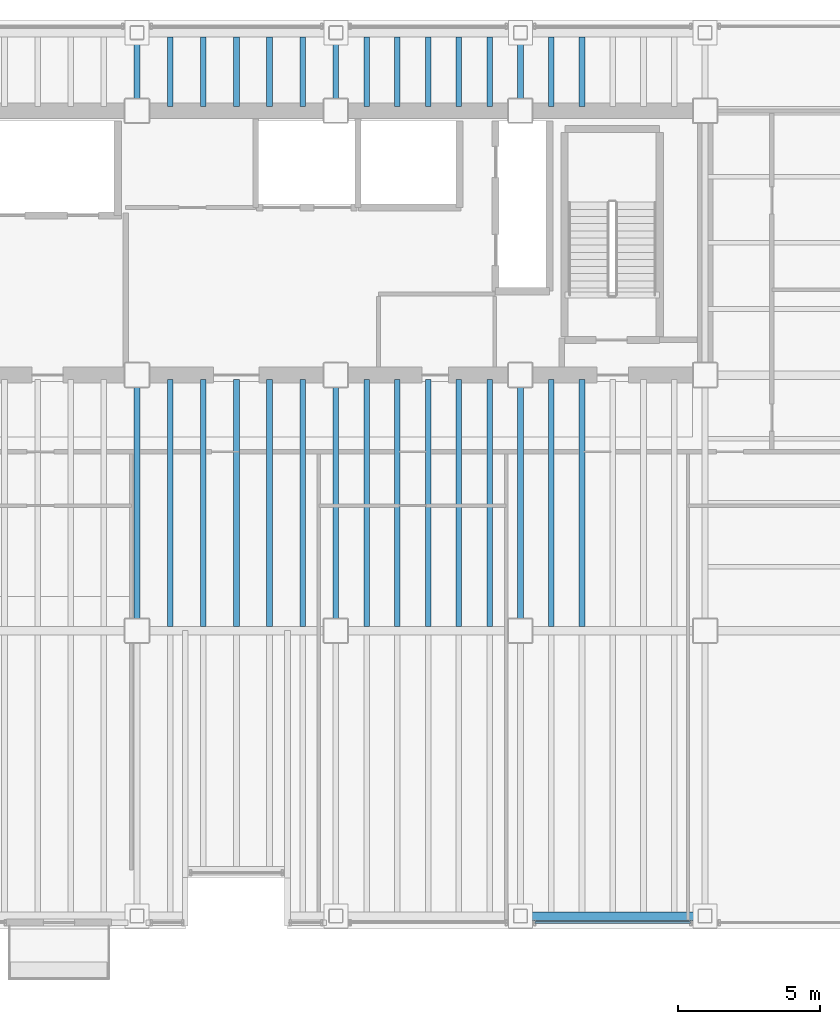
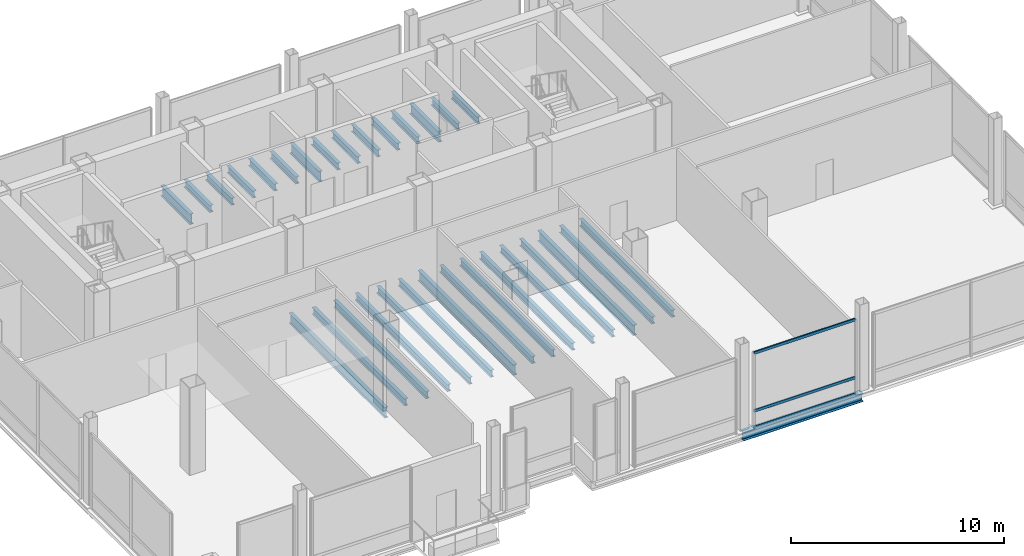
# One storey, part 8 of 22: 31 beams, 3 members, 1 element without a shape of its own.
"""IFC4 building model written with IfcOpenShell, lengths in metres."""

from ifc_helpers import new_model, si_unit, direction, frame, origin, origin_2d, place, context, subcontext, project, spatial, hollow_rectangle, i_section, extrude, material, material_profile, profile_set, type_object, element, aggregate, save


model = new_model("IFC4")

# Units and contexts
model_context = context("Model", 3, precision=1e-05, world=origin(), true_north=direction((0.0, 1.0)))
body_context = subcontext(model_context, "Body", "Model", "MODEL_VIEW")
ifc_project = project(units=[si_unit("LENGTHUNIT", "METRE"), si_unit("AREAUNIT", "SQUARE_METRE"), si_unit("VOLUMEUNIT", "CUBIC_METRE"), si_unit("PLANEANGLEUNIT", "RADIAN"), si_unit("MASSUNIT", "GRAM", prefix="KILO")], contexts=[model_context])

# Site, building, storey
site_placement = place(None, origin())
site = spatial("IfcSite", under=ifc_project, at=site_placement, CompositionType="ELEMENT")
building_placement = place(site_placement, origin())
building = spatial("IfcBuilding", under=site, at=building_placement, Name="Noeulbin Bourse Tower", CompositionType="ELEMENT")
storey_placement = place(building_placement, frame((0.0, 0.0, 106.0)))
storey = spatial("IfcBuildingStorey", under=building, at=storey_placement, Name="L26", CompositionType="ELEMENT", Elevation=106.0)

# Beams
ifc_material_1 = material(Name="Steel S355", Category="steel")
ifc_material_profile_1 = material_profile(ifc_material_1, i_section(OverallWidth=0.199951171875, OverallDepth=0.60009765625, WebThickness=0.010986328125, FlangeThickness=0.01708984375, FilletRadius=0.02197265625, at=origin_2d()), Name="H-600x200x11x17", Category="LoadBearing")
ifc_profile_set_1 = profile_set([ifc_material_profile_1], Name="Steel S355")
beam_type_1 = type_object("IfcBeamType", Name="BM-GRD-600", PredefinedType="USERDEFINED", material=ifc_profile_set_1)
beam_1_placement = place(storey_placement, frame((24.0, 20.0, -0.47998046875), z_axis=(0.0, 1.0, 0.0), x_axis=(-1.0, 0.0, 0.0)))
element("IfcBeam", 1, at=beam_1_placement, inside=storey, type_object=beam_type_1, Name="Tower Primary Girder NS L26-2.2", ObjectType="GIRDER", PredefinedType="USERDEFINED", context=body_context, shape_type="SweptSolid", body=[
    extrude(i_section(OverallWidth=0.199951171875, OverallDepth=0.60009765625, WebThickness=0.010986328125, FlangeThickness=0.01708984375, FilletRadius=0.02197265625, at=origin_2d()), origin(), (0.0, 0.0, 1.0), 9.0),
])
beam_2_placement = place(storey_placement, frame((24.0, 38.300048828125, -0.47998046875), z_axis=(0.0, 1.0, 0.0), x_axis=(-1.0, 0.0, 0.0)))
element("IfcBeam", 2, at=beam_2_placement, inside=storey, type_object=beam_type_1, Name="Tower Primary Girder NS L26-2.4", ObjectType="GIRDER", PredefinedType="USERDEFINED", context=body_context, shape_type="SweptSolid", body=[
    extrude(i_section(OverallWidth=0.199951171875, OverallDepth=0.60009765625, WebThickness=0.010986328125, FlangeThickness=0.01708984375, FilletRadius=0.02197265625, at=origin_2d()), origin(), (0.0, 0.0, 1.0), 2.75),
])
beam_3_placement = place(storey_placement, frame((31.0, 20.0, -0.47998046875), z_axis=(0.0, 1.0, 0.0), x_axis=(-1.0, 0.0, 0.0)))
element("IfcBeam", 3, at=beam_3_placement, inside=storey, type_object=beam_type_1, Name="Tower Primary Girder NS L26-3.2", ObjectType="GIRDER", PredefinedType="USERDEFINED", context=body_context, shape_type="SweptSolid", body=[
    extrude(i_section(OverallWidth=0.199951171875, OverallDepth=0.60009765625, WebThickness=0.010986328125, FlangeThickness=0.01708984375, FilletRadius=0.02197265625, at=origin_2d()), origin(), (0.0, 0.0, 1.0), 9.0),
])
beam_4_placement = place(storey_placement, frame((31.0, 38.300048828125, -0.47998046875), z_axis=(0.0, 1.0, 0.0), x_axis=(-1.0, 0.0, 0.0)))
element("IfcBeam", 4, at=beam_4_placement, inside=storey, type_object=beam_type_1, Name="Tower Primary Girder NS L26-3.4", ObjectType="GIRDER", PredefinedType="USERDEFINED", context=body_context, shape_type="SweptSolid", body=[
    extrude(i_section(OverallWidth=0.199951171875, OverallDepth=0.60009765625, WebThickness=0.010986328125, FlangeThickness=0.01708984375, FilletRadius=0.02197265625, at=origin_2d()), origin(), (0.0, 0.0, 1.0), 2.75),
])
beam_5_placement = place(storey_placement, frame((37.5, 20.0, -0.47998046875), z_axis=(0.0, 1.0, 0.0), x_axis=(-1.0, 0.0, 0.0)))
element("IfcBeam", 5, at=beam_5_placement, inside=storey, type_object=beam_type_1, Name="Tower Primary Girder NS L26-4.2", ObjectType="GIRDER", PredefinedType="USERDEFINED", context=body_context, shape_type="SweptSolid", body=[
    extrude(i_section(OverallWidth=0.199951171875, OverallDepth=0.60009765625, WebThickness=0.010986328125, FlangeThickness=0.01708984375, FilletRadius=0.02197265625, at=origin_2d()), origin(), (0.0, 0.0, 1.0), 9.0),
])
beam_6_placement = place(storey_placement, frame((37.5, 38.300048828125, -0.47998046875), z_axis=(0.0, 1.0, 0.0), x_axis=(-1.0, 0.0, 0.0)))
element("IfcBeam", 6, at=beam_6_placement, inside=storey, type_object=beam_type_1, Name="Tower Primary Girder NS L26-4.4", ObjectType="GIRDER", PredefinedType="USERDEFINED", context=body_context, shape_type="SweptSolid", body=[
    extrude(i_section(OverallWidth=0.199951171875, OverallDepth=0.60009765625, WebThickness=0.010986328125, FlangeThickness=0.01708984375, FilletRadius=0.02197265625, at=origin_2d()), origin(), (0.0, 0.0, 1.0), 2.75),
])
ifc_material_profile_2 = material_profile(ifc_material_1, i_section(OverallWidth=0.199951171875, OverallDepth=0.39990234375, WebThickness=0.008056640625, FlangeThickness=0.012939453125, FilletRadius=0.01611328125, at=origin_2d()), Name="H-400x200x8x13", Category="LoadBearing")
ifc_profile_set_2 = profile_set([ifc_material_profile_2], Name="Steel S355")
beam_type_2 = type_object("IfcBeamType", Name="BM-SEC-400", PredefinedType="BEAM", material=ifc_profile_set_2)
beam_7_placement = place(storey_placement, frame((25.166748046875, 20.14990234375, -0.3798828125), z_axis=(0.0, 1.0, 0.0), x_axis=(-1.0, 0.0, 0.0)))
element("IfcBeam", 7, at=beam_7_placement, inside=storey, type_object=beam_type_2, Name="Tower Composite Joist L26-26", PredefinedType="BEAM", context=body_context, shape_type="SweptSolid", body=[
    extrude(i_section(OverallWidth=0.199951171875, OverallDepth=0.39990234375, WebThickness=0.008056640625, FlangeThickness=0.012939453125, FilletRadius=0.01611328125, at=origin_2d()), origin(), (0.0, 0.0, 1.0), 8.7001953125),
])
beam_8_placement = place(storey_placement, frame((25.166748046875, 38.449951171875, -0.3798828125), z_axis=(0.0, 1.0, 0.0), x_axis=(-1.0, 0.0, 0.0)))
element("IfcBeam", 8, at=beam_8_placement, inside=storey, type_object=beam_type_2, Name="Tower Composite Joist L26-27", PredefinedType="BEAM", context=body_context, shape_type="SweptSolid", body=[
    extrude(i_section(OverallWidth=0.199951171875, OverallDepth=0.39990234375, WebThickness=0.008056640625, FlangeThickness=0.012939453125, FilletRadius=0.01611328125, at=origin_2d()), origin(), (0.0, 0.0, 1.0), 2.449951171875),
])
beam_9_placement = place(storey_placement, frame((26.333251953125, 20.14990234375, -0.3798828125), z_axis=(0.0, 1.0, 0.0), x_axis=(-1.0, 0.0, 0.0)))
element("IfcBeam", 9, at=beam_9_placement, inside=storey, type_object=beam_type_2, Name="Tower Composite Joist L26-29", PredefinedType="BEAM", context=body_context, shape_type="SweptSolid", body=[
    extrude(i_section(OverallWidth=0.199951171875, OverallDepth=0.39990234375, WebThickness=0.008056640625, FlangeThickness=0.012939453125, FilletRadius=0.01611328125, at=origin_2d()), origin(), (0.0, 0.0, 1.0), 8.7001953125),
])
beam_10_placement = place(storey_placement, frame((26.333251953125, 38.449951171875, -0.3798828125), z_axis=(0.0, 1.0, 0.0), x_axis=(-1.0, 0.0, 0.0)))
element("IfcBeam", 10, at=beam_10_placement, inside=storey, type_object=beam_type_2, Name="Tower Composite Joist L26-30", PredefinedType="BEAM", context=body_context, shape_type="SweptSolid", body=[
    extrude(i_section(OverallWidth=0.199951171875, OverallDepth=0.39990234375, WebThickness=0.008056640625, FlangeThickness=0.012939453125, FilletRadius=0.01611328125, at=origin_2d()), origin(), (0.0, 0.0, 1.0), 2.449951171875),
])
beam_11_placement = place(storey_placement, frame((27.5, 20.14990234375, -0.3798828125), z_axis=(0.0, 1.0, 0.0), x_axis=(-1.0, 0.0, 0.0)))
element("IfcBeam", 11, at=beam_11_placement, inside=storey, type_object=beam_type_2, Name="Tower Composite Joist L26-32", PredefinedType="BEAM", context=body_context, shape_type="SweptSolid", body=[
    extrude(i_section(OverallWidth=0.199951171875, OverallDepth=0.39990234375, WebThickness=0.008056640625, FlangeThickness=0.012939453125, FilletRadius=0.01611328125, at=origin_2d()), origin(), (0.0, 0.0, 1.0), 8.7001953125),
])
beam_12_placement = place(storey_placement, frame((27.5, 38.449951171875, -0.3798828125), z_axis=(0.0, 1.0, 0.0), x_axis=(-1.0, 0.0, 0.0)))
element("IfcBeam", 12, at=beam_12_placement, inside=storey, type_object=beam_type_2, Name="Tower Composite Joist L26-33", PredefinedType="BEAM", context=body_context, shape_type="SweptSolid", body=[
    extrude(i_section(OverallWidth=0.199951171875, OverallDepth=0.39990234375, WebThickness=0.008056640625, FlangeThickness=0.012939453125, FilletRadius=0.01611328125, at=origin_2d()), origin(), (0.0, 0.0, 1.0), 2.449951171875),
])
beam_13_placement = place(storey_placement, frame((28.666748046875, 20.14990234375, -0.3798828125), z_axis=(0.0, 1.0, 0.0), x_axis=(-1.0, 0.0, 0.0)))
element("IfcBeam", 13, at=beam_13_placement, inside=storey, type_object=beam_type_2, Name="Tower Composite Joist L26-35", PredefinedType="BEAM", context=body_context, shape_type="SweptSolid", body=[
    extrude(i_section(OverallWidth=0.199951171875, OverallDepth=0.39990234375, WebThickness=0.008056640625, FlangeThickness=0.012939453125, FilletRadius=0.01611328125, at=origin_2d()), origin(), (0.0, 0.0, 1.0), 8.7001953125),
])
beam_14_placement = place(storey_placement, frame((28.666748046875, 38.449951171875, -0.3798828125), z_axis=(0.0, 1.0, 0.0), x_axis=(-1.0, 0.0, 0.0)))
element("IfcBeam", 14, at=beam_14_placement, inside=storey, type_object=beam_type_2, Name="Tower Composite Joist L26-36", PredefinedType="BEAM", context=body_context, shape_type="SweptSolid", body=[
    extrude(i_section(OverallWidth=0.199951171875, OverallDepth=0.39990234375, WebThickness=0.008056640625, FlangeThickness=0.012939453125, FilletRadius=0.01611328125, at=origin_2d()), origin(), (0.0, 0.0, 1.0), 2.449951171875),
])
beam_15_placement = place(storey_placement, frame((29.833251953125, 20.14990234375, -0.3798828125), z_axis=(0.0, 1.0, 0.0), x_axis=(-1.0, 0.0, 0.0)))
element("IfcBeam", 15, at=beam_15_placement, inside=storey, type_object=beam_type_2, Name="Tower Composite Joist L26-38", PredefinedType="BEAM", context=body_context, shape_type="SweptSolid", body=[
    extrude(i_section(OverallWidth=0.199951171875, OverallDepth=0.39990234375, WebThickness=0.008056640625, FlangeThickness=0.012939453125, FilletRadius=0.01611328125, at=origin_2d()), origin(), (0.0, 0.0, 1.0), 8.7001953125),
])
beam_16_placement = place(storey_placement, frame((29.833251953125, 38.449951171875, -0.3798828125), z_axis=(0.0, 1.0, 0.0), x_axis=(-1.0, 0.0, 0.0)))
element("IfcBeam", 16, at=beam_16_placement, inside=storey, type_object=beam_type_2, Name="Tower Composite Joist L26-39", PredefinedType="BEAM", context=body_context, shape_type="SweptSolid", body=[
    extrude(i_section(OverallWidth=0.199951171875, OverallDepth=0.39990234375, WebThickness=0.008056640625, FlangeThickness=0.012939453125, FilletRadius=0.01611328125, at=origin_2d()), origin(), (0.0, 0.0, 1.0), 2.449951171875),
])
beam_17_placement = place(storey_placement, frame((32.083251953125, 20.14990234375, -0.3798828125), z_axis=(0.0, 1.0, 0.0), x_axis=(-1.0, 0.0, 0.0)))
element("IfcBeam", 17, at=beam_17_placement, inside=storey, type_object=beam_type_2, Name="Tower Composite Joist L26-41", PredefinedType="BEAM", context=body_context, shape_type="SweptSolid", body=[
    extrude(i_section(OverallWidth=0.199951171875, OverallDepth=0.39990234375, WebThickness=0.008056640625, FlangeThickness=0.012939453125, FilletRadius=0.01611328125, at=origin_2d()), origin(), (0.0, 0.0, 1.0), 8.7001953125),
])
beam_18_placement = place(storey_placement, frame((32.083251953125, 38.449951171875, -0.3798828125), z_axis=(0.0, 1.0, 0.0), x_axis=(-1.0, 0.0, 0.0)))
element("IfcBeam", 18, at=beam_18_placement, inside=storey, type_object=beam_type_2, Name="Tower Composite Joist L26-42", PredefinedType="BEAM", context=body_context, shape_type="SweptSolid", body=[
    extrude(i_section(OverallWidth=0.199951171875, OverallDepth=0.39990234375, WebThickness=0.008056640625, FlangeThickness=0.012939453125, FilletRadius=0.01611328125, at=origin_2d()), origin(), (0.0, 0.0, 1.0), 2.449951171875),
])
beam_19_placement = place(storey_placement, frame((33.166748046875, 20.14990234375, -0.3798828125), z_axis=(0.0, 1.0, 0.0), x_axis=(-1.0, 0.0, 0.0)))
element("IfcBeam", 19, at=beam_19_placement, inside=storey, type_object=beam_type_2, Name="Tower Composite Joist L26-44", PredefinedType="BEAM", context=body_context, shape_type="SweptSolid", body=[
    extrude(i_section(OverallWidth=0.199951171875, OverallDepth=0.39990234375, WebThickness=0.008056640625, FlangeThickness=0.012939453125, FilletRadius=0.01611328125, at=origin_2d()), origin(), (0.0, 0.0, 1.0), 8.7001953125),
])
beam_20_placement = place(storey_placement, frame((33.166748046875, 38.449951171875, -0.3798828125), z_axis=(0.0, 1.0, 0.0), x_axis=(-1.0, 0.0, 0.0)))
element("IfcBeam", 20, at=beam_20_placement, inside=storey, type_object=beam_type_2, Name="Tower Composite Joist L26-45", PredefinedType="BEAM", context=body_context, shape_type="SweptSolid", body=[
    extrude(i_section(OverallWidth=0.199951171875, OverallDepth=0.39990234375, WebThickness=0.008056640625, FlangeThickness=0.012939453125, FilletRadius=0.01611328125, at=origin_2d()), origin(), (0.0, 0.0, 1.0), 2.449951171875),
])
beam_21_placement = place(storey_placement, frame((34.25, 20.14990234375, -0.3798828125), z_axis=(0.0, 1.0, 0.0), x_axis=(-1.0, 0.0, 0.0)))
element("IfcBeam", 21, at=beam_21_placement, inside=storey, type_object=beam_type_2, Name="Tower Composite Joist L26-47", PredefinedType="BEAM", context=body_context, shape_type="SweptSolid", body=[
    extrude(i_section(OverallWidth=0.199951171875, OverallDepth=0.39990234375, WebThickness=0.008056640625, FlangeThickness=0.012939453125, FilletRadius=0.01611328125, at=origin_2d()), origin(), (0.0, 0.0, 1.0), 8.7001953125),
])
beam_22_placement = place(storey_placement, frame((34.25, 38.449951171875, -0.3798828125), z_axis=(0.0, 1.0, 0.0), x_axis=(-1.0, 0.0, 0.0)))
element("IfcBeam", 22, at=beam_22_placement, inside=storey, type_object=beam_type_2, Name="Tower Composite Joist L26-48", PredefinedType="BEAM", context=body_context, shape_type="SweptSolid", body=[
    extrude(i_section(OverallWidth=0.199951171875, OverallDepth=0.39990234375, WebThickness=0.008056640625, FlangeThickness=0.012939453125, FilletRadius=0.01611328125, at=origin_2d()), origin(), (0.0, 0.0, 1.0), 2.449951171875),
])
beam_23_placement = place(storey_placement, frame((35.333251953125, 20.14990234375, -0.3798828125), z_axis=(0.0, 1.0, 0.0), x_axis=(-1.0, 0.0, 0.0)))
element("IfcBeam", 23, at=beam_23_placement, inside=storey, type_object=beam_type_2, Name="Tower Composite Joist L26-50", PredefinedType="BEAM", context=body_context, shape_type="SweptSolid", body=[
    extrude(i_section(OverallWidth=0.199951171875, OverallDepth=0.39990234375, WebThickness=0.008056640625, FlangeThickness=0.012939453125, FilletRadius=0.01611328125, at=origin_2d()), origin(), (0.0, 0.0, 1.0), 8.7001953125),
])
beam_24_placement = place(storey_placement, frame((35.333251953125, 38.449951171875, -0.3798828125), z_axis=(0.0, 1.0, 0.0), x_axis=(-1.0, 0.0, 0.0)))
element("IfcBeam", 24, at=beam_24_placement, inside=storey, type_object=beam_type_2, Name="Tower Composite Joist L26-51", PredefinedType="BEAM", context=body_context, shape_type="SweptSolid", body=[
    extrude(i_section(OverallWidth=0.199951171875, OverallDepth=0.39990234375, WebThickness=0.008056640625, FlangeThickness=0.012939453125, FilletRadius=0.01611328125, at=origin_2d()), origin(), (0.0, 0.0, 1.0), 2.449951171875),
])
beam_25_placement = place(storey_placement, frame((36.416748046875, 20.14990234375, -0.3798828125), z_axis=(0.0, 1.0, 0.0), x_axis=(-1.0, 0.0, 0.0)))
element("IfcBeam", 25, at=beam_25_placement, inside=storey, type_object=beam_type_2, Name="Tower Composite Joist L26-53", PredefinedType="BEAM", context=body_context, shape_type="SweptSolid", body=[
    extrude(i_section(OverallWidth=0.199951171875, OverallDepth=0.39990234375, WebThickness=0.008056640625, FlangeThickness=0.012939453125, FilletRadius=0.01611328125, at=origin_2d()), origin(), (0.0, 0.0, 1.0), 8.7001953125),
])
beam_26_placement = place(storey_placement, frame((36.416748046875, 38.449951171875, -0.3798828125), z_axis=(0.0, 1.0, 0.0), x_axis=(-1.0, 0.0, 0.0)))
element("IfcBeam", 26, at=beam_26_placement, inside=storey, type_object=beam_type_2, Name="Tower Composite Joist L26-54", PredefinedType="BEAM", context=body_context, shape_type="SweptSolid", body=[
    extrude(i_section(OverallWidth=0.199951171875, OverallDepth=0.39990234375, WebThickness=0.008056640625, FlangeThickness=0.012939453125, FilletRadius=0.01611328125, at=origin_2d()), origin(), (0.0, 0.0, 1.0), 2.449951171875),
])
beam_27_placement = place(storey_placement, frame((38.583251953125, 20.14990234375, -0.3798828125), z_axis=(0.0, 1.0, 0.0), x_axis=(-1.0, 0.0, 0.0)))
element("IfcBeam", 27, at=beam_27_placement, inside=storey, type_object=beam_type_2, Name="Tower Composite Joist L26-56", PredefinedType="BEAM", context=body_context, shape_type="SweptSolid", body=[
    extrude(i_section(OverallWidth=0.199951171875, OverallDepth=0.39990234375, WebThickness=0.008056640625, FlangeThickness=0.012939453125, FilletRadius=0.01611328125, at=origin_2d()), origin(), (0.0, 0.0, 1.0), 8.7001953125),
])
beam_28_placement = place(storey_placement, frame((38.583251953125, 38.449951171875, -0.3798828125), z_axis=(0.0, 1.0, 0.0), x_axis=(-1.0, 0.0, 0.0)))
element("IfcBeam", 28, at=beam_28_placement, inside=storey, type_object=beam_type_2, Name="Tower Composite Joist L26-57", PredefinedType="BEAM", context=body_context, shape_type="SweptSolid", body=[
    extrude(i_section(OverallWidth=0.199951171875, OverallDepth=0.39990234375, WebThickness=0.008056640625, FlangeThickness=0.012939453125, FilletRadius=0.01611328125, at=origin_2d()), origin(), (0.0, 0.0, 1.0), 2.449951171875),
])
beam_29_placement = place(storey_placement, frame((39.666748046875, 20.14990234375, -0.3798828125), z_axis=(0.0, 1.0, 0.0), x_axis=(-1.0, 0.0, 0.0)))
element("IfcBeam", 29, at=beam_29_placement, inside=storey, type_object=beam_type_2, Name="Tower Composite Joist L26-59", PredefinedType="BEAM", context=body_context, shape_type="SweptSolid", body=[
    extrude(i_section(OverallWidth=0.199951171875, OverallDepth=0.39990234375, WebThickness=0.008056640625, FlangeThickness=0.012939453125, FilletRadius=0.01611328125, at=origin_2d()), origin(), (0.0, 0.0, 1.0), 8.7001953125),
])
beam_30_placement = place(storey_placement, frame((39.666748046875, 38.449951171875, -0.3798828125), z_axis=(0.0, 1.0, 0.0), x_axis=(-1.0, 0.0, 0.0)))
element("IfcBeam", 30, at=beam_30_placement, inside=storey, type_object=beam_type_2, Name="Tower Composite Joist L26-60", PredefinedType="BEAM", context=body_context, shape_type="SweptSolid", body=[
    extrude(i_section(OverallWidth=0.199951171875, OverallDepth=0.39990234375, WebThickness=0.008056640625, FlangeThickness=0.012939453125, FilletRadius=0.01611328125, at=origin_2d()), origin(), (0.0, 0.0, 1.0), 2.449951171875),
])
ifc_material_profile_3 = material_profile(ifc_material_1, i_section(OverallWidth=0.300048828125, OverallDepth=0.488037109375, WebThickness=0.010986328125, FlangeThickness=0.01806640625, FilletRadius=0.02197265625, at=origin_2d()), Name="H-488x300x11x18", Category="LoadBearing")
ifc_profile_set_3 = profile_set([ifc_material_profile_3], Name="Steel S355")
beam_type_3 = type_object("IfcBeamType", Name="BM-SPN-488", PredefinedType="SPANDREL", material=ifc_profile_set_3)
beam_31_placement = place(storey_placement, frame((37.5, 9.949951171875, -0.424072265625), z_axis=(1.0, 0.0, 0.0), x_axis=(0.0, 1.0, 0.0)))
element("IfcBeam", 31, at=beam_31_placement, inside=storey, type_object=beam_type_3, Name="South Spandrel L26-4", PredefinedType="SPANDREL", context=body_context, shape_type="SweptSolid", body=[
    extrude(i_section(OverallWidth=0.300048828125, OverallDepth=0.488037109375, WebThickness=0.010986328125, FlangeThickness=0.01806640625, FilletRadius=0.02197265625, at=origin_2d()), origin(), (0.0, 0.0, 1.0), 6.5),
])

# Curtain wall, members
ifc_material_2 = material(Name="Dark Tinted Triple Glazing", Category="glass")
curtain_wall_type = type_object("IfcCurtainWallType", Name="CW-SYS-3", PredefinedType="NOTDEFINED", material=ifc_material_2)
curtain_wall_placement = place(storey_placement, origin())
curtain_wall = element("IfcCurtainWall", 32, at=curtain_wall_placement, inside=storey, type_object=curtain_wall_type, Name="Unitised Curtain Wall CW-L26-S3-S3", PredefinedType="NOTDEFINED")
ifc_material_3 = material(Name="Anodised Aluminium 6063-T6", Category="aluminium")
ifc_material_profile_4 = material_profile(ifc_material_3, hollow_rectangle(XDim=0.074951171875, YDim=0.159912109375, WallThickness=0.0048828125, InnerFilletRadius=0.00244140625, OuterFilletRadius=0.0048828125, at=origin_2d()), Name="ALU-TRAN-75x160x5", Category="LoadBearing")
ifc_profile_set_4 = profile_set([ifc_material_profile_4], Name="Anodised Aluminium 6063-T6")
member_type = type_object("IfcMemberType", Name="CW-SYS-3-TRN", PredefinedType="USERDEFINED", material=ifc_profile_set_4)
member_1_placement = place(storey_placement, frame((38.010009765625, 9.719970703125, 0.010009765625), z_axis=(1.0, 0.0, 0.0), x_axis=(0.0, 1.0, 0.0)))
member_1 = element("IfcMember", 33, at=member_1_placement, type_object=member_type, Name="Curtain Wall Transom CW-L26-S3-S3-T00", ObjectType="TRANSOM", PredefinedType="USERDEFINED", context=body_context, shape_type="SweptSolid", body=[
    extrude(hollow_rectangle(XDim=0.074951171875, YDim=0.159912109375, WallThickness=0.0048828125, InnerFilletRadius=0.00244140625, OuterFilletRadius=0.0048828125, at=origin_2d()), origin(), (0.0, 0.0, 1.0), 5.47998046875),
])
member_2_placement = place(storey_placement, frame((38.010009765625, 9.719970703125, 0.949951171875), z_axis=(1.0, 0.0, 0.0), x_axis=(0.0, 1.0, 0.0)))
member_2 = element("IfcMember", 34, at=member_2_placement, type_object=member_type, Name="Curtain Wall Transom CW-L26-S3-S3-T01", ObjectType="TRANSOM", PredefinedType="USERDEFINED", context=body_context, shape_type="SweptSolid", body=[
    extrude(hollow_rectangle(XDim=0.074951171875, YDim=0.159912109375, WallThickness=0.0048828125, InnerFilletRadius=0.00244140625, OuterFilletRadius=0.0048828125, at=origin_2d()), origin(), (0.0, 0.0, 1.0), 5.47998046875),
])
member_3_placement = place(storey_placement, frame((38.010009765625, 9.719970703125, 4.27001953125), z_axis=(1.0, 0.0, 0.0), x_axis=(0.0, 1.0, 0.0)))
member_3 = element("IfcMember", 35, at=member_3_placement, type_object=member_type, Name="Curtain Wall Transom CW-L26-S3-S3-T02", ObjectType="TRANSOM", PredefinedType="USERDEFINED", context=body_context, shape_type="SweptSolid", body=[
    extrude(hollow_rectangle(XDim=0.074951171875, YDim=0.159912109375, WallThickness=0.0048828125, InnerFilletRadius=0.00244140625, OuterFilletRadius=0.0048828125, at=origin_2d()), origin(), (0.0, 0.0, 1.0), 5.47998046875),
])
aggregate(curtain_wall, [member_1, member_2, member_3])

save(model, "model.ifc")
